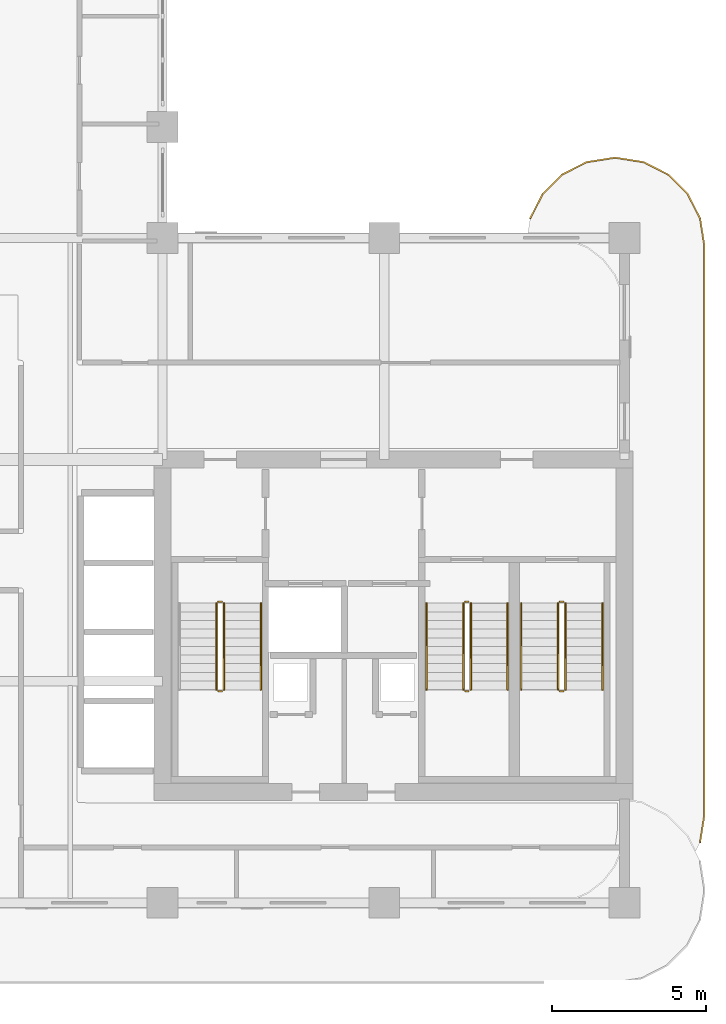
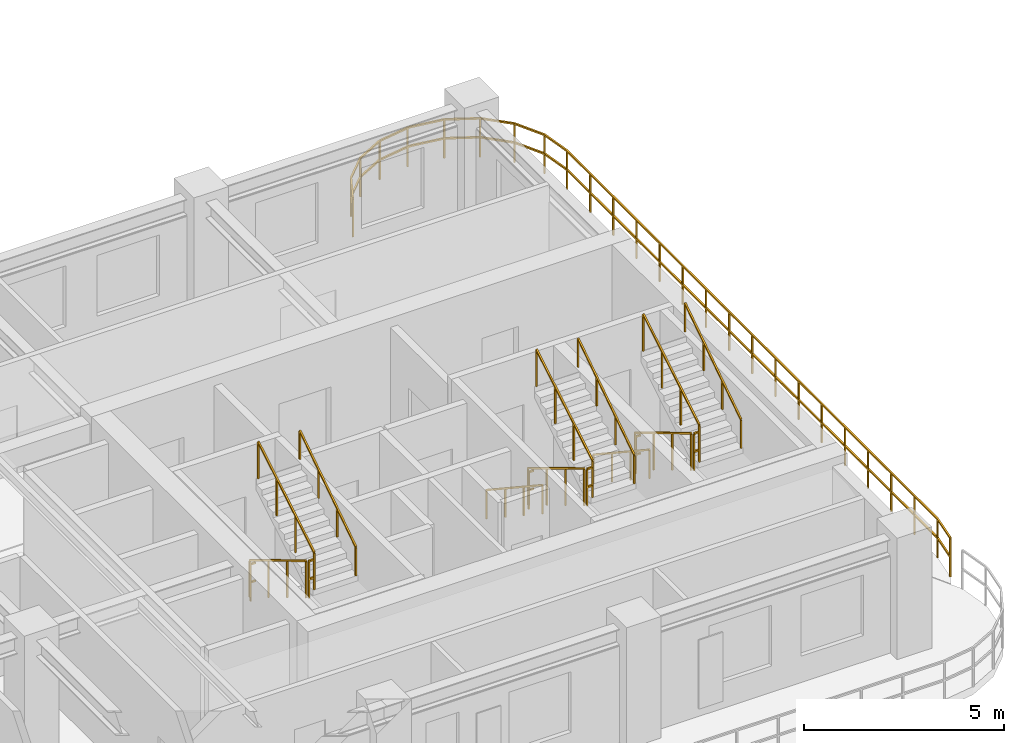
# One storey, part 19 of 20: 18 railings.
"""IFC4 building model written with IfcOpenShell, lengths in metres."""

import ifcopenshell
import ifcopenshell.guid

model = None  # the IFC model being written
_history = None  # IfcOwnerHistory: only IFC2X3 demands one
_inside = {}  # id of a spatial element -> (the spatial element, [elements in it])
_under = {}  # id of a project, library or spatial element -> (it, [spatial elements below it])
_declared = {}  # id of a project -> (the project, [libraries it declares])
_typed = {}  # id of a type object -> (the type object, [elements of that type])
_made_of = {}  # id of a material, layer set ... -> (it, [elements and type objects made of it])


def new_model(schema):
    """Start an empty IFC model of exactly this schema.

    Asked for "IFC4X3", IfcOpenShell would pick the latest addendum, in which some entities
    have other attributes; the version numbers below select the first issue.
    IFC2X3 requires an IfcOwnerHistory on every rooted entity: one is made here for all.
    """
    global model, _history
    if schema == "IFC4X3":
        model = ifcopenshell.file(schema_version=(4, 3, 0, 0))
    else:
        model = ifcopenshell.file(schema=schema)
    _inside.clear()
    _under.clear()
    _declared.clear()
    _typed.clear()
    _made_of.clear()
    _history = None
    if model.schema == "IFC2X3":
        org = make("IfcOrganization", Name="unknown")
        user = make(
            "IfcPersonAndOrganization",
            ThePerson=make("IfcPerson", FamilyName="unknown"),
            TheOrganization=org,
        )
        app = make(
            "IfcApplication",
            ApplicationDeveloper=org,
            Version="unknown",
            ApplicationFullName="unknown",
            ApplicationIdentifier="unknown",
        )
        _history = make(
            "IfcOwnerHistory",
            OwningUser=user,
            OwningApplication=app,
            ChangeAction="ADDED",
            CreationDate=0,
        )
    return model


def make(cls, **values):
    """One entity of the class cls with the attributes given. An attribute that is None is left unset."""
    return model.create_entity(
        cls, **{name: value for name, value in values.items() if value is not None}
    )


def rooted(cls, **values):
    """An entity with a GlobalId (a new one), such as an element, a storey or a relation."""
    return make(cls, GlobalId=ifcopenshell.guid.new(), OwnerHistory=_history, **values)


def si_unit(unit_type, name, prefix=None):
    """IfcSIUnit, for example si_unit("LENGTHUNIT", "METRE", prefix="MILLI")."""
    return make("IfcSIUnit", UnitType=unit_type, Prefix=prefix, Name=name)


def derived_unit(unit_type, elements):
    """IfcDerivedUnit: a product of units, each with its exponent."""
    return make(
        "IfcDerivedUnit",
        Elements=[
            make("IfcDerivedUnitElement", Unit=unit, Exponent=power)
            for unit, power in elements
        ],
        UnitType=unit_type,
    )


def assignment(units):
    """IfcUnitAssignment: the units of a project."""
    return None if units is None else make("IfcUnitAssignment", Units=units)


def point(xyz):
    """IfcCartesianPoint."""
    return None if xyz is None else make("IfcCartesianPoint", Coordinates=xyz)


def direction(xyz):
    """IfcDirection."""
    return None if xyz is None else make("IfcDirection", DirectionRatios=xyz)


def frame(location, z_axis=None, x_axis=None):
    """IfcAxis2Placement3D, a coordinate frame: its origin and axes. An axis left out is left unset."""
    return make(
        "IfcAxis2Placement3D",
        Location=point(location),
        Axis=direction(z_axis),
        RefDirection=direction(x_axis),
    )


def frame_2d(location, x_axis=None):
    """IfcAxis2Placement2D, a coordinate frame in the plane: its origin and x axis."""
    return make(
        "IfcAxis2Placement2D", Location=point(location), RefDirection=direction(x_axis)
    )


def origin():
    """The frame at (0, 0, 0) with its axes left unset."""
    return frame((0.0, 0.0, 0.0))


def origin_2d():
    """The frame at (0, 0) in the plane with its x axis left unset."""
    return frame_2d((0.0, 0.0))


def place(relative_to, where):
    """IfcLocalPlacement: puts the frame where relative to a parent placement (None: the world)."""
    return make(
        "IfcLocalPlacement", PlacementRelTo=relative_to, RelativePlacement=where
    )


def context(
    kind, dimensions, precision=None, world=None, true_north=None, identifier=None
):
    """IfcGeometricRepresentationContext, for example the 3D "Model" context."""
    return make(
        "IfcGeometricRepresentationContext",
        ContextIdentifier=identifier,
        ContextType=kind,
        CoordinateSpaceDimension=dimensions,
        Precision=precision,
        WorldCoordinateSystem=world,
        TrueNorth=true_north,
    )


def subcontext(parent, identifier, kind, view, scale=None):
    """IfcGeometricRepresentationSubContext, for example "Body" below "Model"."""
    return make(
        "IfcGeometricRepresentationSubContext",
        ContextIdentifier=identifier,
        ContextType=kind,
        ParentContext=parent,
        TargetScale=scale,
        TargetView=view,
    )


def project(units=None, contexts=None):
    """IfcProject with its units and contexts."""
    return rooted(
        "IfcProject",
        Name="project",
        RepresentationContexts=contexts,
        UnitsInContext=assignment(units),
    )


def spatial(cls, under=None, at=None, **own):
    """A site, building, storey or space (cls), placed at a placement, below another one or the project."""
    s = rooted(cls, ObjectPlacement=at, **own)
    if under is not None:
        _under.setdefault(under.id(), (under, []))[1].append(s)
    return s


def profile(cls, at=None, kind="AREA", **sizes):
    """A parametric profile (cls). Its sizes go by their IFC names, for example OverallWidth=200.0."""
    return make(cls, ProfileType=kind, Position=at, **sizes)


def rectangle(**sizes):
    """IfcRectangleProfileDef."""
    return profile("IfcRectangleProfileDef", **sizes)


def extrude(swept, where, along, depth):
    """IfcExtrudedAreaSolid: the profile swept, set in the frame where, extruded along a direction by depth."""
    return make(
        "IfcExtrudedAreaSolid",
        SweptArea=swept,
        Position=where,
        ExtrudedDirection=direction(along),
        Depth=depth,
    )


def shape(context_of_items, identifier, shape_type, items):
    """IfcShapeRepresentation: the items that make up one representation, for example the "Body"."""
    return make(
        "IfcShapeRepresentation",
        ContextOfItems=context_of_items,
        RepresentationIdentifier=identifier,
        RepresentationType=shape_type,
        Items=items,
    )


def material(Name=None, Category=None):
    """IfcMaterial."""
    return make("IfcMaterial", Name=Name, Category=Category)


def made_of(thing, what):
    """Note that an element or type object is made of a material, layer set ...; save() writes the relation."""
    if what is not None:
        _made_of.setdefault(what.id(), (what, []))[1].append(thing)
    return thing


def type_object(cls, material=None, **own):
    """A type object (cls), such as IfcWallType, which elements share."""
    return made_of(rooted(cls, **own), material)


def element(
    cls,
    number,
    at=None,
    inside=None,
    cuts=None,
    type_object=None,
    material=None,
    context=None,
    identifier="Body",
    shape_type=None,
    held_by="IfcProductDefinitionShape",
    body=None,
    shapes=None,
    **own,
):
    """One element of the class cls, such as IfcWall. Its Tag is "e" and its number.

    at: its placement. inside: the storey or other place that contains it. cuts: it is an
    opening in that element (IfcRelVoidsElement). A single representation is given by context,
    identifier, shape_type and body (its items); several are given by shapes. held_by: the class
    of the entity that holds the representations. save() writes the other relations.
    """
    e = rooted(cls, Tag="e%d" % number, ObjectPlacement=at, **own)
    if body is not None:
        shapes = [shape(context, identifier, shape_type, body)]
    if shapes is not None:
        e.Representation = make(held_by, Representations=shapes)
    if inside is not None:
        _inside.setdefault(inside.id(), (inside, []))[1].append(e)
    if cuts is not None:
        rooted(
            "IfcRelVoidsElement", RelatingBuildingElement=cuts, RelatedOpeningElement=e
        )
    if type_object is not None:
        _typed.setdefault(type_object.id(), (type_object, []))[1].append(e)
    return made_of(e, material)


def aggregate(whole, parts):
    """IfcRelAggregates: a whole, such as a stair, and the parts it consists of."""
    return rooted("IfcRelAggregates", RelatingObject=whole, RelatedObjects=parts)


def save(model, path):
    """Write the relations noted so far, then the file.

    IfcRelAggregates (storeys below a building ...), IfcRelContainedInSpatialStructure (elements
    in a storey), IfcRelDefinesByType, IfcRelAssociatesMaterial and IfcRelDeclares: one each for
    every whole, place, type object, material and project.
    """
    for whole, parts in _under.values():
        aggregate(whole, parts)
    for where, things in _inside.values():
        rooted(
            "IfcRelContainedInSpatialStructure",
            RelatedElements=things,
            RelatingStructure=where,
        )
    for kind, things in _typed.values():
        rooted("IfcRelDefinesByType", RelatedObjects=things, RelatingType=kind)
    for what, things in _made_of.values():
        rooted("IfcRelAssociatesMaterial", RelatedObjects=things, RelatingMaterial=what)
    for by, libraries in _declared.values():
        rooted("IfcRelDeclares", RelatingContext=by, RelatedDefinitions=libraries)
    model.write(path)


model = new_model("IFC4")

# Units and contexts
model_context = context("Model", 3, precision=1e-05, world=origin(), true_north=direction((0.0, 1.0)))
body_context = subcontext(model_context, "Body", "Model", "MODEL_VIEW")
ifc_project = project(units=[si_unit("LENGTHUNIT", "METRE"), si_unit("AREAUNIT", "SQUARE_METRE"), si_unit("VOLUMEUNIT", "CUBIC_METRE"), si_unit("PLANEANGLEUNIT", "RADIAN"), si_unit("MASSUNIT", "GRAM", prefix="KILO"), si_unit("THERMODYNAMICTEMPERATUREUNIT", "KELVIN"), si_unit("POWERUNIT", "WATT"), derived_unit("THERMALTRANSMITTANCEUNIT", [(si_unit("POWERUNIT", "WATT"), 1), (si_unit("AREAUNIT", "SQUARE_METRE"), -1), (si_unit("THERMODYNAMICTEMPERATUREUNIT", "KELVIN"), -1)])], contexts=[model_context])

# Site, building, storey
site_placement = place(None, origin())
site = spatial("IfcSite", under=ifc_project, at=site_placement, CompositionType="ELEMENT")
building_placement = place(site_placement, origin())
building = spatial("IfcBuilding", under=site, at=building_placement, Name="Zahravan Archway Hotel and Residences", CompositionType="ELEMENT")
storey_placement = place(building_placement, frame((0.0, 0.0, 137.699951171875)))
storey = spatial("IfcBuildingStorey", under=building, at=storey_placement, Name="L34", CompositionType="ELEMENT", Elevation=137.699951171875)

# Railings
ifc_material_1 = material(Name="Bronze & Laminated Glass Balustrade", Category="glass")
railing_type_1 = type_object("IfcRailingType", Name="RL-BAL-1200", PredefinedType="BALUSTRADE", material=ifc_material_1)
railing_1_placement = place(storey_placement, frame((46.739501953125, 22.230712890625, 0.0)))
element("IfcRailing", 1, at=railing_1_placement, inside=storey, type_object=railing_type_1, Name="L34 Balustrade RL-SLB-BAL-L34-EA-1", PredefinedType="BALUSTRADE", context=body_context, shape_type="SweptSolid", body=[
    extrude(rectangle(XDim=0.048095703125, YDim=0.048095703125, at=origin_2d()), frame((0.0, 0.0, 1.17578125), z_axis=(0.453991409995, 0.891006060389, 0.0), x_axis=(-0.891006060389, 0.453991409995, 0.0)), (0.0, 0.0, 1.0), 0.8916015625),
    extrude(rectangle(XDim=0.048095703125, YDim=0.048095703125, at=origin_2d()), frame((0.0, 0.0, 0.60009765625), z_axis=(0.453991409995, 0.891006060389, 0.0), x_axis=(-0.891006060389, 0.453991409995, 0.0)), (0.0, 0.0, 1.0), 0.8916015625),
    extrude(rectangle(XDim=0.048095703125, YDim=0.048095703125, at=origin_2d()), frame((0.40478515625, 0.79443359375, 1.17578125), z_axis=(0.707106781187, 0.707106781187, 0.0), x_axis=(-0.707106781187, 0.707106781187, 0.0)), (0.0, 0.0, 1.0), 0.891845703125),
    extrude(rectangle(XDim=0.048095703125, YDim=0.048095703125, at=origin_2d()), frame((0.40478515625, 0.79443359375, 0.60009765625), z_axis=(0.707106781187, 0.707106781187, 0.0), x_axis=(-0.707106781187, 0.707106781187, 0.0)), (0.0, 0.0, 1.0), 0.891845703125),
    extrude(rectangle(XDim=0.048095703125, YDim=0.048095703125, at=origin_2d()), frame((1.035400390625, 1.425048828125, 1.17578125), z_axis=(0.891006060389, 0.453991409995, 0.0), x_axis=(-0.453991409995, 0.891006060389, 0.0)), (0.0, 0.0, 1.0), 0.8916015625),
    extrude(rectangle(XDim=0.048095703125, YDim=0.048095703125, at=origin_2d()), frame((1.035400390625, 1.425048828125, 0.60009765625), z_axis=(0.891006060389, 0.453991409995, 0.0), x_axis=(-0.453991409995, 0.891006060389, 0.0)), (0.0, 0.0, 1.0), 0.8916015625),
    extrude(rectangle(XDim=0.048095703125, YDim=0.048095703125, at=origin_2d()), frame((1.829833984375, 1.829833984375, 1.17578125), z_axis=(0.987700720307, 0.156356282588, 0.0), x_axis=(-0.156356282588, 0.987700720307, 0.0)), (0.0, 0.0, 1.0), 0.8916015625),
    extrude(rectangle(XDim=0.048095703125, YDim=0.048095703125, at=origin_2d()), frame((1.829833984375, 1.829833984375, 0.60009765625), z_axis=(0.987700720307, 0.156356282588, 0.0), x_axis=(-0.156356282588, 0.987700720307, 0.0)), (0.0, 0.0, 1.0), 0.8916015625),
    extrude(rectangle(XDim=0.048095703125, YDim=0.048095703125, at=origin_2d()), frame((2.71044921875, 1.96923828125, 1.17578125), z_axis=(1.0, 0.0, 0.0), x_axis=(0.0, 1.0, 0.0)), (0.0, 0.0, 1.0), 0.10009765625),
    extrude(rectangle(XDim=0.048095703125, YDim=0.048095703125, at=origin_2d()), frame((2.71044921875, 1.96923828125, 0.60009765625), z_axis=(1.0, 0.0, 0.0), x_axis=(0.0, 1.0, 0.0)), (0.0, 0.0, 1.0), 0.10009765625),
    extrude(rectangle(XDim=0.048095703125, YDim=0.048095703125, at=origin_2d()), frame((2.810546875, 1.96923828125, 1.17578125), z_axis=(0.987700720307, -0.156356282588, 0.0), x_axis=(0.156356282588, 0.987700720307, 0.0)), (0.0, 0.0, 1.0), 0.8916015625),
    extrude(rectangle(XDim=0.048095703125, YDim=0.048095703125, at=origin_2d()), frame((2.810546875, 1.96923828125, 0.60009765625), z_axis=(0.987700720307, -0.156356282588, 0.0), x_axis=(0.156356282588, 0.987700720307, 0.0)), (0.0, 0.0, 1.0), 0.8916015625),
    extrude(rectangle(XDim=0.048095703125, YDim=0.048095703125, at=origin_2d()), frame((3.691162109375, 1.829833984375, 1.17578125), z_axis=(0.891006060389, -0.453991409995, 0.0), x_axis=(0.453991409995, 0.891006060389, 0.0)), (0.0, 0.0, 1.0), 0.8916015625),
    extrude(rectangle(XDim=0.048095703125, YDim=0.048095703125, at=origin_2d()), frame((3.691162109375, 1.829833984375, 0.60009765625), z_axis=(0.891006060389, -0.453991409995, 0.0), x_axis=(0.453991409995, 0.891006060389, 0.0)), (0.0, 0.0, 1.0), 0.8916015625),
    extrude(rectangle(XDim=0.048095703125, YDim=0.048095703125, at=origin_2d()), frame((4.485595703125, 1.425048828125, 1.17578125), z_axis=(0.707106781187, -0.707106781187, 0.0), x_axis=(0.707106781187, 0.707106781187, 0.0)), (0.0, 0.0, 1.0), 0.891845703125),
    extrude(rectangle(XDim=0.048095703125, YDim=0.048095703125, at=origin_2d()), frame((4.485595703125, 1.425048828125, 0.60009765625), z_axis=(0.707106781187, -0.707106781187, 0.0), x_axis=(0.707106781187, 0.707106781187, 0.0)), (0.0, 0.0, 1.0), 0.891845703125),
    extrude(rectangle(XDim=0.048095703125, YDim=0.048095703125, at=origin_2d()), frame((5.1162109375, 0.79443359375, 1.17578125), z_axis=(0.453991409995, -0.891006060389, 0.0), x_axis=(0.891006060389, 0.453991409995, 0.0)), (0.0, 0.0, 1.0), 0.8916015625),
    extrude(rectangle(XDim=0.048095703125, YDim=0.048095703125, at=origin_2d()), frame((5.1162109375, 0.79443359375, 0.60009765625), z_axis=(0.453991409995, -0.891006060389, 0.0), x_axis=(0.891006060389, 0.453991409995, 0.0)), (0.0, 0.0, 1.0), 0.8916015625),
    extrude(rectangle(XDim=0.048095703125, YDim=0.048095703125, at=origin_2d()), frame((5.52099609375, 0.0, 1.17578125), z_axis=(0.156356282588, -0.987700720307, 0.0), x_axis=(0.987700720307, 0.156356282588, 0.0)), (0.0, 0.0, 1.0), 0.8916015625),
    extrude(rectangle(XDim=0.048095703125, YDim=0.048095703125, at=origin_2d()), frame((5.52099609375, 0.0, 0.60009765625), z_axis=(0.156356282588, -0.987700720307, 0.0), x_axis=(0.987700720307, 0.156356282588, 0.0)), (0.0, 0.0, 1.0), 0.8916015625),
    extrude(rectangle(XDim=0.048095703125, YDim=0.048095703125, at=origin_2d()), frame((5.660400390625, -0.880615234375, 1.17578125), z_axis=(0.0, -1.0, 0.0), x_axis=(1.0, 0.0, 0.0)), (0.0, 0.0, 1.0), 18.5),
    extrude(rectangle(XDim=0.048095703125, YDim=0.048095703125, at=origin_2d()), frame((5.660400390625, -0.880615234375, 0.60009765625), z_axis=(0.0, -1.0, 0.0), x_axis=(1.0, 0.0, 0.0)), (0.0, 0.0, 1.0), 18.5),
    extrude(rectangle(XDim=0.048095703125, YDim=0.048095703125, at=origin_2d()), frame((5.660400390625, -19.380615234375, 1.17578125), z_axis=(-0.156314005608, -0.987707411965, 0.0), x_axis=(0.987707411965, -0.156314005608, 0.0)), (0.0, 0.0, 1.0), 0.891845703125),
    extrude(rectangle(XDim=0.048095703125, YDim=0.048095703125, at=origin_2d()), frame((5.660400390625, -19.380615234375, 0.60009765625), z_axis=(-0.156314005608, -0.987707411965, 0.0), x_axis=(0.987707411965, -0.156314005608, 0.0)), (0.0, 0.0, 1.0), 0.891845703125),
    extrude(rectangle(XDim=0.0419921875, YDim=0.0419921875, at=origin_2d()), origin(), (0.0, 0.0, 1.0), 1.15185546875),
    extrude(rectangle(XDim=0.0419921875, YDim=0.0419921875, at=origin_2d()), frame((0.40478515625, 0.79443359375, 0.0)), (0.0, 0.0, 1.0), 1.15185546875),
    extrude(rectangle(XDim=0.0419921875, YDim=0.0419921875, at=origin_2d()), frame((1.035400390625, 1.425048828125, 0.0)), (0.0, 0.0, 1.0), 1.15185546875),
    extrude(rectangle(XDim=0.0419921875, YDim=0.0419921875, at=origin_2d()), frame((1.829833984375, 1.829833984375, 0.0)), (0.0, 0.0, 1.0), 1.15185546875),
    extrude(rectangle(XDim=0.0419921875, YDim=0.0419921875, at=origin_2d()), frame((2.71044921875, 1.96923828125, 0.0)), (0.0, 0.0, 1.0), 1.15185546875),
    extrude(rectangle(XDim=0.0419921875, YDim=0.0419921875, at=origin_2d()), frame((3.691162109375, 1.829833984375, 0.0)), (0.0, 0.0, 1.0), 1.15185546875),
    extrude(rectangle(XDim=0.0419921875, YDim=0.0419921875, at=origin_2d()), frame((4.485595703125, 1.425048828125, 0.0)), (0.0, 0.0, 1.0), 1.15185546875),
    extrude(rectangle(XDim=0.0419921875, YDim=0.0419921875, at=origin_2d()), frame((5.1162109375, 0.79443359375, 0.0)), (0.0, 0.0, 1.0), 1.15185546875),
    extrude(rectangle(XDim=0.0419921875, YDim=0.0419921875, at=origin_2d()), frame((5.52099609375, 0.0, 0.0)), (0.0, 0.0, 1.0), 1.15185546875),
    extrude(rectangle(XDim=0.0419921875, YDim=0.0419921875, at=origin_2d()), frame((5.660400390625, -0.880615234375, 0.0)), (0.0, 0.0, 1.0), 1.15185546875),
    extrude(rectangle(XDim=0.0419921875, YDim=0.0419921875, at=origin_2d()), frame((5.660400390625, -2.036865234375, 0.0)), (0.0, 0.0, 1.0), 1.15185546875),
    extrude(rectangle(XDim=0.0419921875, YDim=0.0419921875, at=origin_2d()), frame((5.660400390625, -3.193115234375, 0.0)), (0.0, 0.0, 1.0), 1.15185546875),
    extrude(rectangle(XDim=0.0419921875, YDim=0.0419921875, at=origin_2d()), frame((5.660400390625, -4.349365234375, 0.0)), (0.0, 0.0, 1.0), 1.15185546875),
    extrude(rectangle(XDim=0.0419921875, YDim=0.0419921875, at=origin_2d()), frame((5.660400390625, -5.505615234375, 0.0)), (0.0, 0.0, 1.0), 1.15185546875),
    extrude(rectangle(XDim=0.0419921875, YDim=0.0419921875, at=origin_2d()), frame((5.660400390625, -6.661865234375, 0.0)), (0.0, 0.0, 1.0), 1.15185546875),
    extrude(rectangle(XDim=0.0419921875, YDim=0.0419921875, at=origin_2d()), frame((5.660400390625, -7.818115234375, 0.0)), (0.0, 0.0, 1.0), 1.15185546875),
    extrude(rectangle(XDim=0.0419921875, YDim=0.0419921875, at=origin_2d()), frame((5.660400390625, -8.974365234375, 0.0)), (0.0, 0.0, 1.0), 1.15185546875),
    extrude(rectangle(XDim=0.0419921875, YDim=0.0419921875, at=origin_2d()), frame((5.660400390625, -10.130615234375, 0.0)), (0.0, 0.0, 1.0), 1.15185546875),
    extrude(rectangle(XDim=0.0419921875, YDim=0.0419921875, at=origin_2d()), frame((5.660400390625, -11.286865234375, 0.0)), (0.0, 0.0, 1.0), 1.15185546875),
    extrude(rectangle(XDim=0.0419921875, YDim=0.0419921875, at=origin_2d()), frame((5.660400390625, -12.443115234375, 0.0)), (0.0, 0.0, 1.0), 1.15185546875),
    extrude(rectangle(XDim=0.0419921875, YDim=0.0419921875, at=origin_2d()), frame((5.660400390625, -13.599365234375, 0.0)), (0.0, 0.0, 1.0), 1.15185546875),
    extrude(rectangle(XDim=0.0419921875, YDim=0.0419921875, at=origin_2d()), frame((5.660400390625, -14.755615234375, 0.0)), (0.0, 0.0, 1.0), 1.15185546875),
    extrude(rectangle(XDim=0.0419921875, YDim=0.0419921875, at=origin_2d()), frame((5.660400390625, -15.911865234375, 0.0)), (0.0, 0.0, 1.0), 1.15185546875),
    extrude(rectangle(XDim=0.0419921875, YDim=0.0419921875, at=origin_2d()), frame((5.660400390625, -17.068115234375, 0.0)), (0.0, 0.0, 1.0), 1.15185546875),
    extrude(rectangle(XDim=0.0419921875, YDim=0.0419921875, at=origin_2d()), frame((5.660400390625, -18.224365234375, 0.0)), (0.0, 0.0, 1.0), 1.15185546875),
    extrude(rectangle(XDim=0.0419921875, YDim=0.0419921875, at=origin_2d()), frame((5.660400390625, -19.380615234375, 0.0)), (0.0, 0.0, 1.0), 1.15185546875),
    extrude(rectangle(XDim=0.0419921875, YDim=0.0419921875, at=origin_2d()), frame((5.52099609375, -20.261474609375, 0.0)), (0.0, 0.0, 1.0), 1.15185546875),
])
ifc_material_2 = material(Name="Painted Tubular Steel", Category="steel")
railing_type_2 = type_object("IfcRailingType", Name="RL-STG-1150", PredefinedType="GUARDRAIL", material=ifc_material_2)
railing_2_placement = place(storey_placement, frame((36.550048828125, 9.72998046875, 0.168212890625)))
element("IfcRailing", 2, at=railing_2_placement, inside=storey, type_object=railing_type_2, Name="L34 ST-A1 stair guard 1", PredefinedType="GUARDRAIL", context=body_context, shape_type="SweptSolid", body=[
    extrude(rectangle(XDim=0.048095703125, YDim=0.048095703125, at=origin_2d()), frame((0.0, 0.0, 1.1259765625), z_axis=(0.0, -0.857242210791, 0.514913383045), x_axis=(1.0, 0.0, 0.0)), (0.0, 0.0, 1.0), 3.266357421875),
    extrude(rectangle(XDim=0.0419921875, YDim=0.0419921875, at=origin_2d()), origin(), (0.0, 0.0, 1.0), 1.101806640625),
    extrude(rectangle(XDim=0.0419921875, YDim=0.0419921875, at=origin_2d()), frame((0.0, -0.933349609375, 0.560546875)), (0.0, 0.0, 1.0), 1.101806640625),
    extrude(rectangle(XDim=0.0419921875, YDim=0.0419921875, at=origin_2d()), frame((0.0, -1.86669921875, 1.121337890625)), (0.0, 0.0, 1.0), 1.101806640625),
    extrude(rectangle(XDim=0.0419921875, YDim=0.0419921875, at=origin_2d()), frame((0.0, -2.800048828125, 1.681884765625)), (0.0, 0.0, 1.0), 1.101806640625),
])
railing_3_placement = place(storey_placement, frame((36.60009765625, 6.8798828125, 1.85009765625)))
element("IfcRailing", 3, at=railing_3_placement, inside=storey, type_object=railing_type_2, Name="L34 ST-A1 stair guard 2", PredefinedType="GUARDRAIL", context=body_context, shape_type="SweptSolid", body=[
    extrude(rectangle(XDim=0.048095703125, YDim=0.048095703125, at=origin_2d()), frame((0.0, 0.0, 1.1259765625), z_axis=(1.0, 0.0, 0.0), x_axis=(0.0, 1.0, 0.0)), (0.0, 0.0, 1.0), 0.139892578125),
    extrude(rectangle(XDim=0.048095703125, YDim=0.048095703125, at=origin_2d()), frame((0.0, 0.0, 0.574951171875), z_axis=(1.0, 0.0, 0.0), x_axis=(0.0, 1.0, 0.0)), (0.0, 0.0, 1.0), 0.139892578125),
    extrude(rectangle(XDim=0.0419921875, YDim=0.0419921875, at=origin_2d()), origin(), (0.0, 0.0, 1.0), 1.101806640625),
])
railing_4_placement = place(storey_placement, frame((36.7900390625, 6.929931640625, 2.018310546875)))
element("IfcRailing", 4, at=railing_4_placement, inside=storey, type_object=railing_type_2, Name="L34 ST-A1 stair guard 3", PredefinedType="GUARDRAIL", context=body_context, shape_type="SweptSolid", body=[
    extrude(rectangle(XDim=0.048095703125, YDim=0.048095703125, at=origin_2d()), frame((0.0, 0.0, 1.1259765625), z_axis=(0.0, 0.857275202839, 0.514858452973), x_axis=(-1.0, 0.0, 0.0)), (0.0, 0.0, 1.0), 3.26611328125),
    extrude(rectangle(XDim=0.0419921875, YDim=0.0419921875, at=origin_2d()), origin(), (0.0, 0.0, 1.0), 1.101806640625),
    extrude(rectangle(XDim=0.0419921875, YDim=0.0419921875, at=origin_2d()), frame((0.0, 0.933349609375, 0.560546875)), (0.0, 0.0, 1.0), 1.101806640625),
    extrude(rectangle(XDim=0.0419921875, YDim=0.0419921875, at=origin_2d()), frame((0.0, 1.86669921875, 1.12109375)), (0.0, 0.0, 1.0), 1.101806640625),
    extrude(rectangle(XDim=0.0419921875, YDim=0.0419921875, at=origin_2d()), frame((0.0, 2.800048828125, 1.681640625)), (0.0, 0.0, 1.0), 1.101806640625),
])
railing_5_placement = place(storey_placement, frame((36.60009765625, 9.780029296875, 0.0)))
element("IfcRailing", 5, at=railing_5_placement, inside=storey, type_object=railing_type_2, Name="L34 ST-A1 stair guard 4", PredefinedType="GUARDRAIL", context=body_context, shape_type="SweptSolid", body=[
    extrude(rectangle(XDim=0.048095703125, YDim=0.048095703125, at=origin_2d()), frame((0.0, 0.0, 1.1259765625), z_axis=(1.0, 0.0, 0.0), x_axis=(0.0, 1.0, 0.0)), (0.0, 0.0, 1.0), 0.139892578125),
    extrude(rectangle(XDim=0.048095703125, YDim=0.048095703125, at=origin_2d()), frame((0.0, 0.0, 0.574951171875), z_axis=(1.0, 0.0, 0.0), x_axis=(0.0, 1.0, 0.0)), (0.0, 0.0, 1.0), 0.139892578125),
    extrude(rectangle(XDim=0.0419921875, YDim=0.0419921875, at=origin_2d()), origin(), (0.0, 0.0, 1.0), 1.101806640625),
])
railing_6_placement = place(storey_placement, frame((44.570068359375, 9.72998046875, 0.168212890625)))
element("IfcRailing", 6, at=railing_6_placement, inside=storey, type_object=railing_type_2, Name="L34 ST-A2 stair guard 1", PredefinedType="GUARDRAIL", context=body_context, shape_type="SweptSolid", body=[
    extrude(rectangle(XDim=0.048095703125, YDim=0.048095703125, at=origin_2d()), frame((0.0, 0.0, 1.1259765625), z_axis=(0.0, -0.857242210791, 0.514913383045), x_axis=(1.0, 0.0, 0.0)), (0.0, 0.0, 1.0), 3.266357421875),
    extrude(rectangle(XDim=0.0419921875, YDim=0.0419921875, at=origin_2d()), origin(), (0.0, 0.0, 1.0), 1.101806640625),
    extrude(rectangle(XDim=0.0419921875, YDim=0.0419921875, at=origin_2d()), frame((0.0, -0.933349609375, 0.560546875)), (0.0, 0.0, 1.0), 1.101806640625),
    extrude(rectangle(XDim=0.0419921875, YDim=0.0419921875, at=origin_2d()), frame((0.0, -1.86669921875, 1.121337890625)), (0.0, 0.0, 1.0), 1.101806640625),
    extrude(rectangle(XDim=0.0419921875, YDim=0.0419921875, at=origin_2d()), frame((0.0, -2.800048828125, 1.681884765625)), (0.0, 0.0, 1.0), 1.101806640625),
])
railing_7_placement = place(storey_placement, frame((44.6201171875, 6.8798828125, 1.85009765625)))
element("IfcRailing", 7, at=railing_7_placement, inside=storey, type_object=railing_type_2, Name="L34 ST-A2 stair guard 2", PredefinedType="GUARDRAIL", context=body_context, shape_type="SweptSolid", body=[
    extrude(rectangle(XDim=0.048095703125, YDim=0.048095703125, at=origin_2d()), frame((0.0, 0.0, 1.1259765625), z_axis=(1.0, 0.0, 0.0), x_axis=(0.0, 1.0, 0.0)), (0.0, 0.0, 1.0), 0.139892578125),
    extrude(rectangle(XDim=0.048095703125, YDim=0.048095703125, at=origin_2d()), frame((0.0, 0.0, 0.574951171875), z_axis=(1.0, 0.0, 0.0), x_axis=(0.0, 1.0, 0.0)), (0.0, 0.0, 1.0), 0.139892578125),
    extrude(rectangle(XDim=0.0419921875, YDim=0.0419921875, at=origin_2d()), origin(), (0.0, 0.0, 1.0), 1.101806640625),
])
railing_8_placement = place(storey_placement, frame((44.81005859375, 6.929931640625, 2.018310546875)))
element("IfcRailing", 8, at=railing_8_placement, inside=storey, type_object=railing_type_2, Name="L34 ST-A2 stair guard 3", PredefinedType="GUARDRAIL", context=body_context, shape_type="SweptSolid", body=[
    extrude(rectangle(XDim=0.048095703125, YDim=0.048095703125, at=origin_2d()), frame((0.0, 0.0, 1.1259765625), z_axis=(0.0, 0.857275202839, 0.514858452973), x_axis=(-1.0, 0.0, 0.0)), (0.0, 0.0, 1.0), 3.26611328125),
    extrude(rectangle(XDim=0.0419921875, YDim=0.0419921875, at=origin_2d()), origin(), (0.0, 0.0, 1.0), 1.101806640625),
    extrude(rectangle(XDim=0.0419921875, YDim=0.0419921875, at=origin_2d()), frame((0.0, 0.933349609375, 0.560546875)), (0.0, 0.0, 1.0), 1.101806640625),
    extrude(rectangle(XDim=0.0419921875, YDim=0.0419921875, at=origin_2d()), frame((0.0, 1.86669921875, 1.12109375)), (0.0, 0.0, 1.0), 1.101806640625),
    extrude(rectangle(XDim=0.0419921875, YDim=0.0419921875, at=origin_2d()), frame((0.0, 2.800048828125, 1.681640625)), (0.0, 0.0, 1.0), 1.101806640625),
])
railing_9_placement = place(storey_placement, frame((44.6201171875, 9.780029296875, 0.0)))
element("IfcRailing", 9, at=railing_9_placement, inside=storey, type_object=railing_type_2, Name="L34 ST-A2 stair guard 4", PredefinedType="GUARDRAIL", context=body_context, shape_type="SweptSolid", body=[
    extrude(rectangle(XDim=0.048095703125, YDim=0.048095703125, at=origin_2d()), frame((0.0, 0.0, 1.1259765625), z_axis=(1.0, 0.0, 0.0), x_axis=(0.0, 1.0, 0.0)), (0.0, 0.0, 1.0), 0.139892578125),
    extrude(rectangle(XDim=0.048095703125, YDim=0.048095703125, at=origin_2d()), frame((0.0, 0.0, 0.574951171875), z_axis=(1.0, 0.0, 0.0), x_axis=(0.0, 1.0, 0.0)), (0.0, 0.0, 1.0), 0.139892578125),
    extrude(rectangle(XDim=0.0419921875, YDim=0.0419921875, at=origin_2d()), origin(), (0.0, 0.0, 1.0), 1.101806640625),
])
railing_10_placement = place(storey_placement, frame((47.64990234375, 9.72998046875, 0.168212890625)))
element("IfcRailing", 10, at=railing_10_placement, inside=storey, type_object=railing_type_2, Name="L34 ST-A3 stair guard 1", PredefinedType="GUARDRAIL", context=body_context, shape_type="SweptSolid", body=[
    extrude(rectangle(XDim=0.048095703125, YDim=0.048095703125, at=origin_2d()), frame((0.0, 0.0, 1.1259765625), z_axis=(0.0, -0.857242210791, 0.514913383045), x_axis=(1.0, 0.0, 0.0)), (0.0, 0.0, 1.0), 3.266357421875),
    extrude(rectangle(XDim=0.0419921875, YDim=0.0419921875, at=origin_2d()), origin(), (0.0, 0.0, 1.0), 1.101806640625),
    extrude(rectangle(XDim=0.0419921875, YDim=0.0419921875, at=origin_2d()), frame((0.0, -0.933349609375, 0.560546875)), (0.0, 0.0, 1.0), 1.101806640625),
    extrude(rectangle(XDim=0.0419921875, YDim=0.0419921875, at=origin_2d()), frame((0.0, -1.86669921875, 1.121337890625)), (0.0, 0.0, 1.0), 1.101806640625),
    extrude(rectangle(XDim=0.0419921875, YDim=0.0419921875, at=origin_2d()), frame((0.0, -2.800048828125, 1.681884765625)), (0.0, 0.0, 1.0), 1.101806640625),
])
railing_11_placement = place(storey_placement, frame((47.699951171875, 6.8798828125, 1.85009765625)))
element("IfcRailing", 11, at=railing_11_placement, inside=storey, type_object=railing_type_2, Name="L34 ST-A3 stair guard 2", PredefinedType="GUARDRAIL", context=body_context, shape_type="SweptSolid", body=[
    extrude(rectangle(XDim=0.048095703125, YDim=0.048095703125, at=origin_2d()), frame((0.0, 0.0, 1.1259765625), z_axis=(1.0, 0.0, 0.0), x_axis=(0.0, 1.0, 0.0)), (0.0, 0.0, 1.0), 0.14013671875),
    extrude(rectangle(XDim=0.048095703125, YDim=0.048095703125, at=origin_2d()), frame((0.0, 0.0, 0.574951171875), z_axis=(1.0, 0.0, 0.0), x_axis=(0.0, 1.0, 0.0)), (0.0, 0.0, 1.0), 0.14013671875),
    extrude(rectangle(XDim=0.0419921875, YDim=0.0419921875, at=origin_2d()), origin(), (0.0, 0.0, 1.0), 1.101806640625),
])
railing_12_placement = place(storey_placement, frame((47.889892578125, 6.929931640625, 2.018310546875)))
element("IfcRailing", 12, at=railing_12_placement, inside=storey, type_object=railing_type_2, Name="L34 ST-A3 stair guard 3", PredefinedType="GUARDRAIL", context=body_context, shape_type="SweptSolid", body=[
    extrude(rectangle(XDim=0.048095703125, YDim=0.048095703125, at=origin_2d()), frame((0.0, 0.0, 1.1259765625), z_axis=(0.0, 0.857275202839, 0.514858452973), x_axis=(-1.0, 0.0, 0.0)), (0.0, 0.0, 1.0), 3.26611328125),
    extrude(rectangle(XDim=0.0419921875, YDim=0.0419921875, at=origin_2d()), origin(), (0.0, 0.0, 1.0), 1.101806640625),
    extrude(rectangle(XDim=0.0419921875, YDim=0.0419921875, at=origin_2d()), frame((0.0, 0.933349609375, 0.560546875)), (0.0, 0.0, 1.0), 1.101806640625),
    extrude(rectangle(XDim=0.0419921875, YDim=0.0419921875, at=origin_2d()), frame((0.0, 1.86669921875, 1.12109375)), (0.0, 0.0, 1.0), 1.101806640625),
    extrude(rectangle(XDim=0.0419921875, YDim=0.0419921875, at=origin_2d()), frame((0.0, 2.800048828125, 1.681640625)), (0.0, 0.0, 1.0), 1.101806640625),
])
railing_13_placement = place(storey_placement, frame((47.699951171875, 9.780029296875, 0.0)))
element("IfcRailing", 13, at=railing_13_placement, inside=storey, type_object=railing_type_2, Name="L34 ST-A3 stair guard 4", PredefinedType="GUARDRAIL", context=body_context, shape_type="SweptSolid", body=[
    extrude(rectangle(XDim=0.048095703125, YDim=0.048095703125, at=origin_2d()), frame((0.0, 0.0, 1.1259765625), z_axis=(1.0, 0.0, 0.0), x_axis=(0.0, 1.0, 0.0)), (0.0, 0.0, 1.0), 0.14013671875),
    extrude(rectangle(XDim=0.048095703125, YDim=0.048095703125, at=origin_2d()), frame((0.0, 0.0, 0.574951171875), z_axis=(1.0, 0.0, 0.0), x_axis=(0.0, 1.0, 0.0)), (0.0, 0.0, 1.0), 0.14013671875),
    extrude(rectangle(XDim=0.0419921875, YDim=0.0419921875, at=origin_2d()), origin(), (0.0, 0.0, 1.0), 1.101806640625),
])
ifc_material_3 = material(Name="Brushed Stainless Steel", Category="steel")
railing_type_3 = type_object("IfcRailingType", Name="RL-STH-900", PredefinedType="HANDRAIL", material=ifc_material_3)
railing_14_placement = place(storey_placement, frame((37.989990234375, 6.929931640625, 2.018310546875)))
element("IfcRailing", 14, at=railing_14_placement, inside=storey, type_object=railing_type_3, Name="L34 ST-A1 stair handrail 2", PredefinedType="HANDRAIL", context=body_context, shape_type="SweptSolid", body=[
    extrude(rectangle(XDim=0.048095703125, YDim=0.048095703125, at=origin_2d()), frame((0.0, 0.0, 0.8759765625), z_axis=(0.0, 0.83435981716, 0.551220187865), x_axis=(-1.0, 0.0, 0.0)), (0.0, 0.0, 1.0), 3.35595703125),
    extrude(rectangle(XDim=0.0419921875, YDim=0.0419921875, at=origin_2d()), origin(), (0.0, 0.0, 1.0), 0.851806640625),
    extrude(rectangle(XDim=0.0419921875, YDim=0.0419921875, at=origin_2d()), frame((0.0, 0.933349609375, 0.61669921875)), (0.0, 0.0, 1.0), 0.851806640625),
    extrude(rectangle(XDim=0.0419921875, YDim=0.0419921875, at=origin_2d()), frame((0.0, 1.86669921875, 1.233154296875)), (0.0, 0.0, 1.0), 0.851806640625),
    extrude(rectangle(XDim=0.0419921875, YDim=0.0419921875, at=origin_2d()), frame((0.0, 2.800048828125, 1.849853515625)), (0.0, 0.0, 1.0), 0.851806640625),
])
railing_15_placement = place(storey_placement, frame((43.3701171875, 9.72998046875, 0.168212890625)))
element("IfcRailing", 15, at=railing_15_placement, inside=storey, type_object=railing_type_3, Name="L34 ST-A2 stair handrail 1", PredefinedType="HANDRAIL", context=body_context, shape_type="SweptSolid", body=[
    extrude(rectangle(XDim=0.048095703125, YDim=0.048095703125, at=origin_2d()), frame((0.0, 0.0, 0.8759765625), z_axis=(0.0, -0.834326358476, 0.551270829586), x_axis=(1.0, 0.0, 0.0)), (0.0, 0.0, 1.0), 3.35595703125),
    extrude(rectangle(XDim=0.0419921875, YDim=0.0419921875, at=origin_2d()), origin(), (0.0, 0.0, 1.0), 0.851806640625),
    extrude(rectangle(XDim=0.0419921875, YDim=0.0419921875, at=origin_2d()), frame((0.0, -0.933349609375, 0.61669921875)), (0.0, 0.0, 1.0), 0.851806640625),
    extrude(rectangle(XDim=0.0419921875, YDim=0.0419921875, at=origin_2d()), frame((0.0, -1.86669921875, 1.2333984375)), (0.0, 0.0, 1.0), 0.851806640625),
    extrude(rectangle(XDim=0.0419921875, YDim=0.0419921875, at=origin_2d()), frame((0.0, -2.800048828125, 1.85009765625)), (0.0, 0.0, 1.0), 0.851806640625),
])
railing_16_placement = place(storey_placement, frame((46.010009765625, 6.929931640625, 2.018310546875)))
element("IfcRailing", 16, at=railing_16_placement, inside=storey, type_object=railing_type_3, Name="L34 ST-A2 stair handrail 2", PredefinedType="HANDRAIL", context=body_context, shape_type="SweptSolid", body=[
    extrude(rectangle(XDim=0.048095703125, YDim=0.048095703125, at=origin_2d()), frame((0.0, 0.0, 0.8759765625), z_axis=(0.0, 0.83435981716, 0.551220187865), x_axis=(-1.0, 0.0, 0.0)), (0.0, 0.0, 1.0), 3.35595703125),
    extrude(rectangle(XDim=0.0419921875, YDim=0.0419921875, at=origin_2d()), origin(), (0.0, 0.0, 1.0), 0.851806640625),
    extrude(rectangle(XDim=0.0419921875, YDim=0.0419921875, at=origin_2d()), frame((0.0, 0.933349609375, 0.61669921875)), (0.0, 0.0, 1.0), 0.851806640625),
    extrude(rectangle(XDim=0.0419921875, YDim=0.0419921875, at=origin_2d()), frame((0.0, 1.86669921875, 1.233154296875)), (0.0, 0.0, 1.0), 0.851806640625),
    extrude(rectangle(XDim=0.0419921875, YDim=0.0419921875, at=origin_2d()), frame((0.0, 2.800048828125, 1.849853515625)), (0.0, 0.0, 1.0), 0.851806640625),
])
railing_17_placement = place(storey_placement, frame((46.449951171875, 9.72998046875, 0.168212890625)))
element("IfcRailing", 17, at=railing_17_placement, inside=storey, type_object=railing_type_3, Name="L34 ST-A3 stair handrail 1", PredefinedType="HANDRAIL", context=body_context, shape_type="SweptSolid", body=[
    extrude(rectangle(XDim=0.048095703125, YDim=0.048095703125, at=origin_2d()), frame((0.0, 0.0, 0.8759765625), z_axis=(0.0, -0.834326358476, 0.551270829586), x_axis=(1.0, 0.0, 0.0)), (0.0, 0.0, 1.0), 3.35595703125),
    extrude(rectangle(XDim=0.0419921875, YDim=0.0419921875, at=origin_2d()), origin(), (0.0, 0.0, 1.0), 0.851806640625),
    extrude(rectangle(XDim=0.0419921875, YDim=0.0419921875, at=origin_2d()), frame((0.0, -0.933349609375, 0.61669921875)), (0.0, 0.0, 1.0), 0.851806640625),
    extrude(rectangle(XDim=0.0419921875, YDim=0.0419921875, at=origin_2d()), frame((0.0, -1.86669921875, 1.2333984375)), (0.0, 0.0, 1.0), 0.851806640625),
    extrude(rectangle(XDim=0.0419921875, YDim=0.0419921875, at=origin_2d()), frame((0.0, -2.800048828125, 1.85009765625)), (0.0, 0.0, 1.0), 0.851806640625),
])
railing_18_placement = place(storey_placement, frame((49.090087890625, 6.929931640625, 2.018310546875)))
element("IfcRailing", 18, at=railing_18_placement, inside=storey, type_object=railing_type_3, Name="L34 ST-A3 stair handrail 2", PredefinedType="HANDRAIL", context=body_context, shape_type="SweptSolid", body=[
    extrude(rectangle(XDim=0.048095703125, YDim=0.048095703125, at=origin_2d()), frame((0.0, 0.0, 0.8759765625), z_axis=(0.0, 0.83435981716, 0.551220187865), x_axis=(-1.0, 0.0, 0.0)), (0.0, 0.0, 1.0), 3.35595703125),
    extrude(rectangle(XDim=0.0419921875, YDim=0.0419921875, at=origin_2d()), origin(), (0.0, 0.0, 1.0), 0.851806640625),
    extrude(rectangle(XDim=0.0419921875, YDim=0.0419921875, at=origin_2d()), frame((0.0, 0.933349609375, 0.61669921875)), (0.0, 0.0, 1.0), 0.851806640625),
    extrude(rectangle(XDim=0.0419921875, YDim=0.0419921875, at=origin_2d()), frame((0.0, 1.86669921875, 1.233154296875)), (0.0, 0.0, 1.0), 0.851806640625),
    extrude(rectangle(XDim=0.0419921875, YDim=0.0419921875, at=origin_2d()), frame((0.0, 2.800048828125, 1.849853515625)), (0.0, 0.0, 1.0), 0.851806640625),
])

save(model, "model.ifc")
